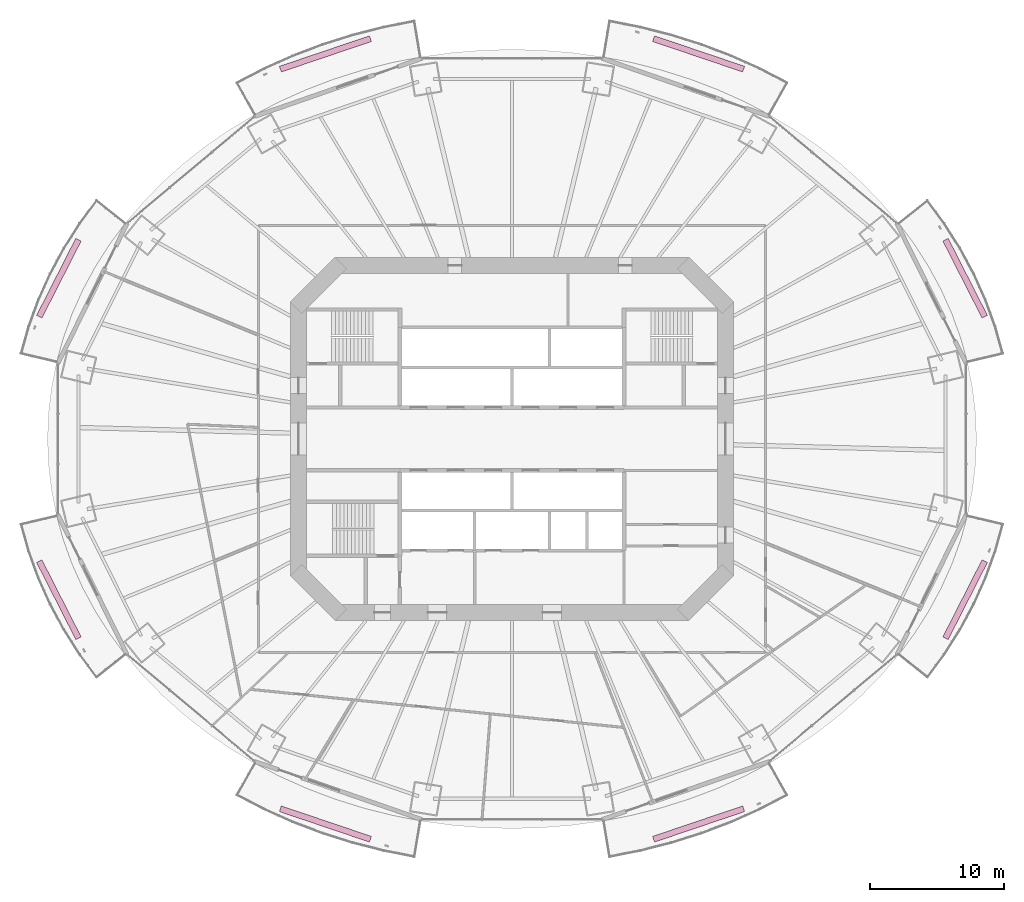
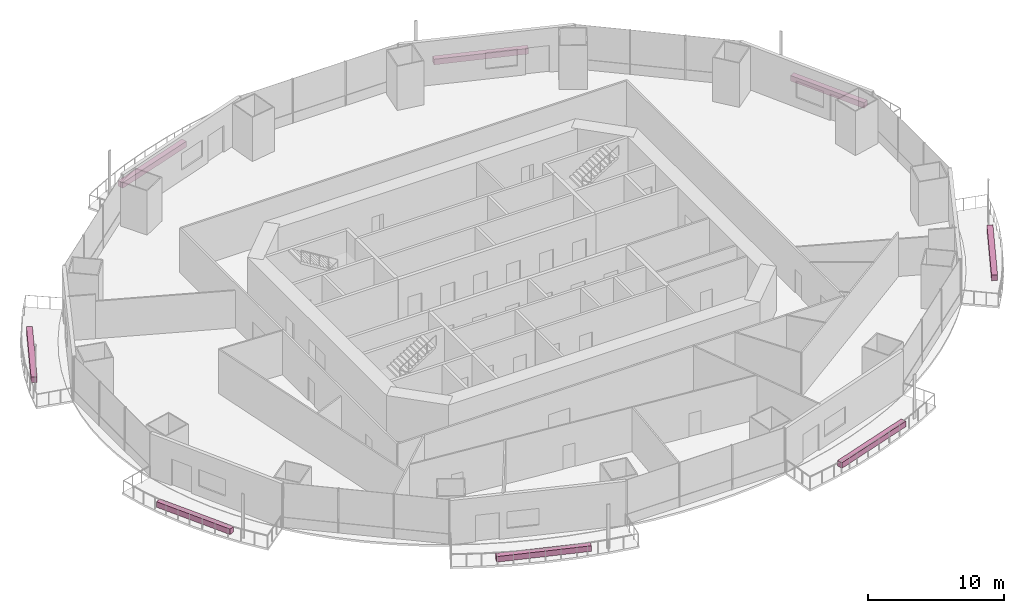
# One storey, part 22 of 22: 8 furnishings.
"""IFC4 building model written with IfcOpenShell, lengths in metres."""

from ifc_helpers import new_model, si_unit, direction, frame, origin, origin_2d, place, context, subcontext, project, spatial, rectangle, extrude, material, type_object, element, save


model = new_model("IFC4")

# Units and contexts
model_context = context("Model", 3, precision=1e-05, world=origin(), true_north=direction((0.0, 1.0)))
body_context = subcontext(model_context, "Body", "Model", "MODEL_VIEW")
ifc_project = project(units=[si_unit("LENGTHUNIT", "METRE"), si_unit("AREAUNIT", "SQUARE_METRE"), si_unit("VOLUMEUNIT", "CUBIC_METRE"), si_unit("PLANEANGLEUNIT", "RADIAN"), si_unit("MASSUNIT", "GRAM", prefix="KILO")], contexts=[model_context])

# Site, building, storey
site_placement = place(None, origin())
site = spatial("IfcSite", under=ifc_project, at=site_placement, CompositionType="ELEMENT")
building_placement = place(site_placement, origin())
building = spatial("IfcBuilding", under=site, at=building_placement, Name="Marenthal Gate Tower", CompositionType="ELEMENT")
storey_placement = place(building_placement, frame((0.0, 0.0, 103.550048828125)))
storey = spatial("IfcBuildingStorey", under=building, at=storey_placement, Name="L21", CompositionType="ELEMENT", Elevation=103.550048828125)

# Furnishings
ifc_material = material(Name="Planting soil and foliage", Category="planting")
furnishing_element_type = type_object("IfcFurnishingElementType", Name="Balcony PLANTER trough", material=ifc_material)
furnishing_1_placement = place(storey_placement, frame((33.932861328125, 12.038818359375, -0.0400390625), z_axis=(0.0, 0.0, 1.0), x_axis=(-0.453646324581, 0.891181806476, 0.0)))
element("IfcFurnishingElement", 1, at=furnishing_1_placement, inside=storey, type_object=furnishing_element_type, Name="Balcony PLANTER L21 bay 1", ObjectType="PLANTER", context=body_context, shape_type="SweptSolid", body=[
    extrude(rectangle(XDim=6.4755859375, YDim=0.449951171875, at=origin_2d()), origin(), (0.0, 0.0, 1.0), 0.5),
])
for number, where, z_axis, x_axis, name in (
    (2, (13.9736328125, 28.834716796875, -0.0400390625), (0.0, 0.0, 1.0), (-0.947306804178, 0.320327674043, 0.0), "Balcony PLANTER L21 bay 3"),
    (3, (-13.9736328125, 28.834716796875, -0.0400390625), (0.0, 0.0, 1.0), (-0.947306804178, -0.320327674043, 0.0), "Balcony PLANTER L21 bay 5"),
):
    element("IfcFurnishingElement", number, at=place(storey_placement, frame(where, z_axis=z_axis, x_axis=x_axis)), inside=storey, type_object=furnishing_element_type, Name=name, ObjectType="PLANTER", context=body_context, shape_type="SweptSolid", body=[
        extrude(rectangle(XDim=7.118896484375, YDim=0.449951171875, at=origin_2d()), origin(), (0.0, 0.0, 1.0), 0.5),
    ])
for number, where, z_axis, x_axis, name in (
    (4, (-33.932861328125, 12.038818359375, -0.0400390625), (0.0, 0.0, 1.0), (-0.453646324581, -0.891181806476, 0.0), "Balcony PLANTER L21 bay 7"),
    (5, (-33.932861328125, -12.038818359375, -0.0400390625), (0.0, 0.0, 1.0), (0.453646324581, -0.891181806476, 0.0), "Balcony PLANTER L21 bay 9"),
):
    element("IfcFurnishingElement", number, at=place(storey_placement, frame(where, z_axis=z_axis, x_axis=x_axis)), inside=storey, type_object=furnishing_element_type, Name=name, ObjectType="PLANTER", context=body_context, shape_type="SweptSolid", body=[
        extrude(rectangle(XDim=6.4755859375, YDim=0.449951171875, at=origin_2d()), origin(), (0.0, 0.0, 1.0), 0.5),
    ])
for number, where, z_axis, x_axis, name in (
    (6, (-13.9736328125, -28.834716796875, -0.0400390625), (0.0, 0.0, 1.0), (0.947306804178, -0.320327674043, 0.0), "Balcony PLANTER L21 bay 11"),
    (7, (13.9736328125, -28.834716796875, -0.0400390625), (0.0, 0.0, 1.0), (0.947306804178, 0.320327674043, 0.0), "Balcony PLANTER L21 bay 13"),
):
    element("IfcFurnishingElement", number, at=place(storey_placement, frame(where, z_axis=z_axis, x_axis=x_axis)), inside=storey, type_object=furnishing_element_type, Name=name, ObjectType="PLANTER", context=body_context, shape_type="SweptSolid", body=[
        extrude(rectangle(XDim=7.118896484375, YDim=0.449951171875, at=origin_2d()), origin(), (0.0, 0.0, 1.0), 0.5),
    ])
furnishing_2_placement = place(storey_placement, frame((33.932861328125, -12.038818359375, -0.0400390625), z_axis=(0.0, 0.0, 1.0), x_axis=(0.453646324581, 0.891181806476, 0.0)))
element("IfcFurnishingElement", 8, at=furnishing_2_placement, inside=storey, type_object=furnishing_element_type, Name="Balcony PLANTER L21 bay 15", ObjectType="PLANTER", context=body_context, shape_type="SweptSolid", body=[
    extrude(rectangle(XDim=6.4755859375, YDim=0.449951171875, at=origin_2d()), origin(), (0.0, 0.0, 1.0), 0.5),
])

save(model, "model.ifc")
